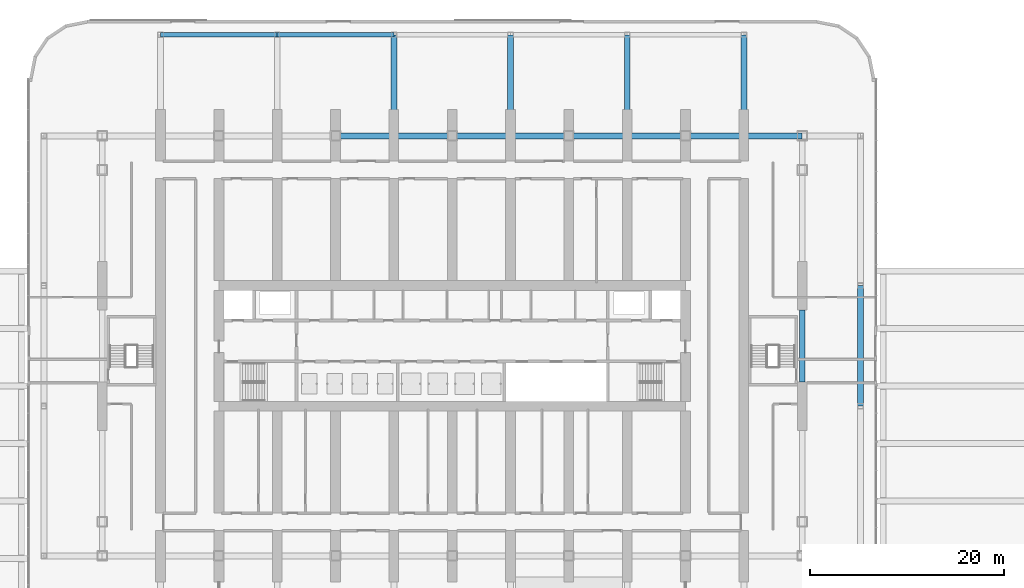
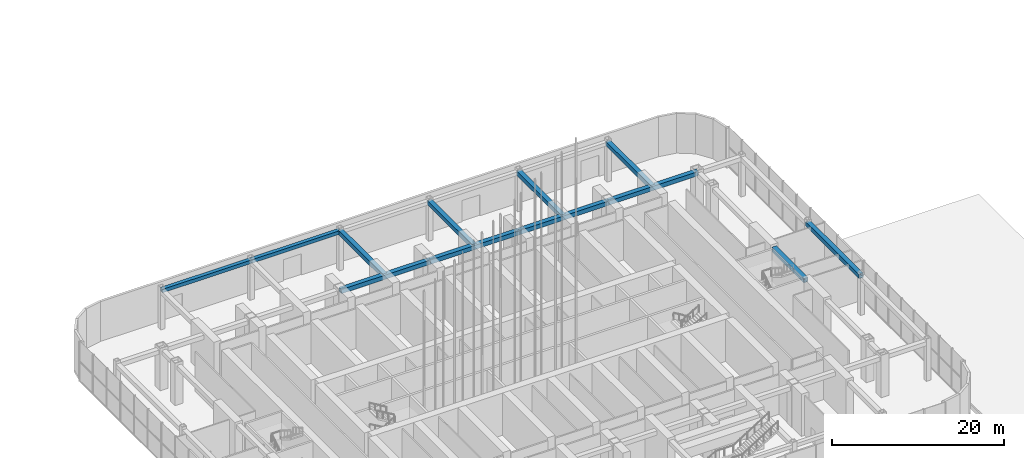
# One storey, part 12 of 57: 12 beams.
"""IFC4 building model written with IfcOpenShell, lengths in metres."""

from ifc_helpers import new_model, si_unit, direction, frame, origin, origin_2d, place, context, subcontext, project, spatial, hollow_rectangle, extrude, material, material_profile, profile_set, type_object, element, save


model = new_model("IFC4")

# Units and contexts
model_context = context("Model", 3, precision=1e-05, world=origin(), true_north=direction((0.0, 1.0)))
body_context = subcontext(model_context, "Body", "Model", "MODEL_VIEW")
ifc_project = project(units=[si_unit("LENGTHUNIT", "METRE"), si_unit("AREAUNIT", "SQUARE_METRE"), si_unit("VOLUMEUNIT", "CUBIC_METRE"), si_unit("PLANEANGLEUNIT", "RADIAN"), si_unit("MASSUNIT", "GRAM", prefix="KILO")], contexts=[model_context])

# Site, building, storey
site_placement = place(None, origin())
site = spatial("IfcSite", under=ifc_project, at=site_placement, CompositionType="ELEMENT")
building_placement = place(site_placement, origin())
building = spatial("IfcBuilding", under=site, at=building_placement, Name="Orbita Commons", CompositionType="ELEMENT")
storey_placement = place(building_placement, origin())
storey = spatial("IfcBuildingStorey", under=building, at=storey_placement, Name="L00", CompositionType="ELEMENT", Elevation=0.0)

# Beams
ifc_material_1 = material(Name="Steel ASTM A572 Gr 50 welded plate", Category="steel")
ifc_material_profile_1 = material_profile(ifc_material_1, hollow_rectangle(XDim=0.5, YDim=0.5, WallThickness=0.050048828125, at=origin_2d()), Name="BOX 500x500x50")
ifc_profile_set_1 = profile_set([ifc_material_profile_1], Name="Steel ASTM A572 Gr 50 welded plate")
beam_type_1 = type_object("IfcBeamType", Name="Steel edge beam BOX 500x500x50", PredefinedType="SPANDREL", material=ifc_profile_set_1)
for number, where, z_axis, x_axis, name in (
    (1, (12.0, 64.0, 5.39990234375), (1.0, 0.0, 0.0), (0.0, 1.0, 0.0), "Edge beam F 3-5 L00"),
    (2, (24.0, 64.0, 5.39990234375), (1.0, 0.0, 0.0), (0.0, 1.0, 0.0), "Edge beam F 5-7 L00"),
):
    element("IfcBeam", number, at=place(storey_placement, frame(where, z_axis=z_axis, x_axis=x_axis)), inside=storey, type_object=beam_type_1, Name=name, PredefinedType="SPANDREL", context=body_context, shape_type="SweptSolid", body=[
        extrude(hollow_rectangle(XDim=0.5, YDim=0.5, WallThickness=0.050048828125, at=origin_2d()), origin(), (0.0, 0.0, 1.0), 12.0),
    ])
ifc_material_2 = material(Name="Steel ASTM A572 Gr 50 welded plate", Category="steel")
ifc_material_profile_2 = material_profile(ifc_material_2, hollow_rectangle(XDim=0.60009765625, YDim=0.60009765625, WallThickness=0.06005859375, at=origin_2d()), Name="BOX 600x600x60")
ifc_profile_set_2 = profile_set([ifc_material_profile_2], Name="Steel ASTM A572 Gr 50 welded plate")
beam_type_2 = type_object("IfcBeamType", Name="Steel podium beam BOX 600x600x60", PredefinedType="BEAM", material=ifc_profile_set_2)
for number, where, z_axis, x_axis, name in (
    (3, (30.0, 53.60009765625, 5.35009765625), (1.0, 0.0, 0.0), (0.0, 1.0, 0.0), "Podium beam E 6-8 L00"),
    (4, (42.0, 53.60009765625, 5.35009765625), (1.0, 0.0, 0.0), (0.0, 1.0, 0.0), "Podium beam E 8-10 L00"),
    (5, (54.0, 53.60009765625, 5.35009765625), (1.0, 0.0, 0.0), (0.0, 1.0, 0.0), "Podium beam E 10-12 L00"),
    (6, (66.0, 53.60009765625, 5.35009765625), (1.0, 0.0, 0.0), (0.0, 1.0, 0.0), "Podium beam E 12-14 L00"),
):
    element("IfcBeam", number, at=place(storey_placement, frame(where, z_axis=z_axis, x_axis=x_axis)), inside=storey, type_object=beam_type_2, Name=name, PredefinedType="BEAM", context=body_context, shape_type="SweptSolid", body=[
        extrude(hollow_rectangle(XDim=0.60009765625, YDim=0.60009765625, WallThickness=0.06005859375, at=origin_2d()), origin(), (0.0, 0.0, 1.0), 12.0),
    ])
for number, where, z_axis, x_axis, name in (
    (7, (36.0, 53.60009765625, 5.35009765625), (0.0, 1.0, 0.0), (-1.0, 0.0, 0.0), "Podium beam 7 E-F L00"),
    (8, (48.0, 53.60009765625, 5.35009765625), (0.0, 1.0, 0.0), (-1.0, 0.0, 0.0), "Podium beam 9 E-F L00"),
    (9, (60.0, 53.60009765625, 5.35009765625), (0.0, 1.0, 0.0), (-1.0, 0.0, 0.0), "Podium beam 11 E-F L00"),
    (10, (72.0, 53.60009765625, 5.35009765625), (0.0, 1.0, 0.0), (-1.0, 0.0, 0.0), "Podium beam 13 E-F L00"),
):
    element("IfcBeam", number, at=place(storey_placement, frame(where, z_axis=z_axis, x_axis=x_axis)), inside=storey, type_object=beam_type_2, Name=name, PredefinedType="BEAM", context=body_context, shape_type="SweptSolid", body=[
        extrude(hollow_rectangle(XDim=0.60009765625, YDim=0.60009765625, WallThickness=0.06005859375, at=origin_2d()), origin(), (0.0, 0.0, 1.0), 10.39990234375),
    ])
beam_1_placement = place(storey_placement, frame((84.0, 25.800048828125, 5.35009765625), z_axis=(0.0, 1.0, 0.0), x_axis=(-1.0, 0.0, 0.0)))
element("IfcBeam", 11, at=beam_1_placement, inside=storey, type_object=beam_type_2, Name="Podium beam 15 C-D L00", PredefinedType="BEAM", context=body_context, shape_type="SweptSolid", body=[
    extrude(hollow_rectangle(XDim=0.60009765625, YDim=0.60009765625, WallThickness=0.06005859375, at=origin_2d()), origin(), (0.0, 0.0, 1.0), 12.39990234375),
])
beam_2_placement = place(storey_placement, frame((78.0, 28.300048828125, 5.35009765625), z_axis=(0.0, 1.0, 0.0), x_axis=(-1.0, 0.0, 0.0)))
element("IfcBeam", 12, at=beam_2_placement, inside=storey, type_object=beam_type_2, Name="Podium beam 14 C-D L00", PredefinedType="BEAM", context=body_context, shape_type="SweptSolid", body=[
    extrude(hollow_rectangle(XDim=0.60009765625, YDim=0.60009765625, WallThickness=0.06005859375, at=origin_2d()), origin(), (0.0, 0.0, 1.0), 7.39990234375),
])

save(model, "model.ifc")
